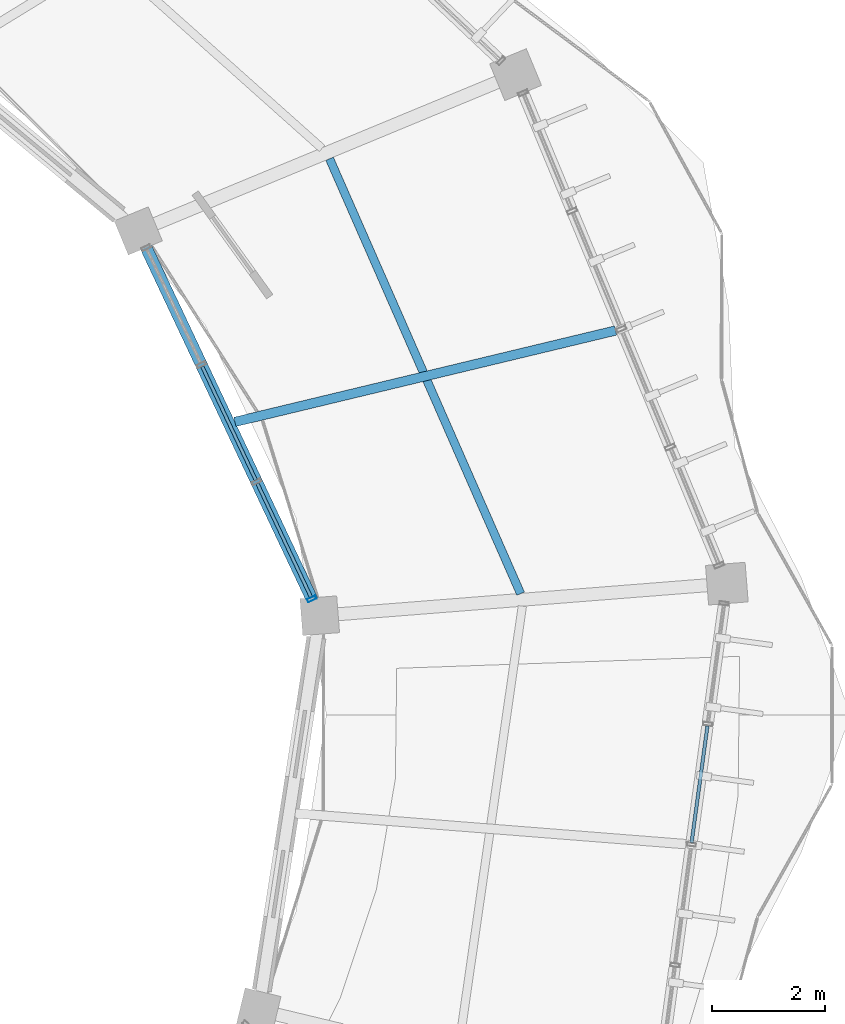
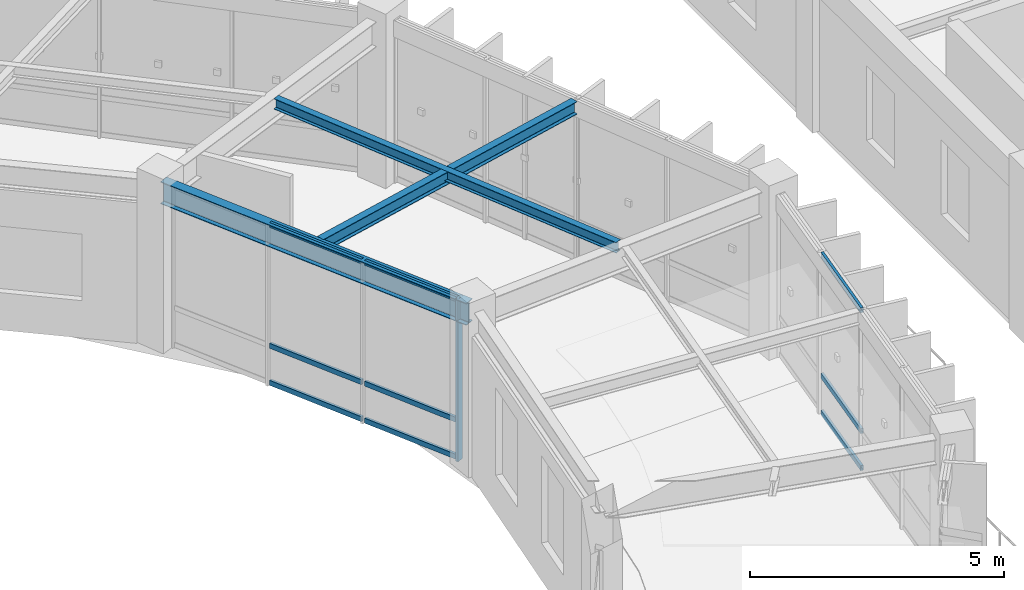
# One storey, part 90 of 138: 10 members, 3 beams, 2 elements without a shape of their own.
"""IFC4 building model written with IfcOpenShell, lengths in metres."""

from ifc_helpers import new_model, si_unit, direction, frame, origin, origin_2d, place, context, subcontext, project, spatial, hollow_rectangle, i_section, extrude, material, material_profile, profile_set, type_object, element, aggregate, save


model = new_model("IFC4")

# Units and contexts
model_context = context("Model", 3, precision=1e-05, world=origin(), true_north=direction((0.0, 1.0)))
body_context = subcontext(model_context, "Body", "Model", "MODEL_VIEW")
ifc_project = project(units=[si_unit("LENGTHUNIT", "METRE"), si_unit("AREAUNIT", "SQUARE_METRE"), si_unit("VOLUMEUNIT", "CUBIC_METRE"), si_unit("PLANEANGLEUNIT", "RADIAN"), si_unit("MASSUNIT", "GRAM", prefix="KILO"), si_unit("THERMODYNAMICTEMPERATUREUNIT", "KELVIN"), si_unit("POWERUNIT", "WATT")], contexts=[model_context])

# Site, building, storey
site_placement = place(None, origin())
site = spatial("IfcSite", under=ifc_project, at=site_placement, CompositionType="ELEMENT")
building_placement = place(site_placement, origin())
building = spatial("IfcBuilding", under=site, at=building_placement, Name="Darbajah Civic Hall", CompositionType="ELEMENT")
storey_placement = place(building_placement, frame((0.0, 0.0, 9.60009765625)))
storey = spatial("IfcBuildingStorey", under=building, at=storey_placement, Name="L02", CompositionType="ELEMENT", Elevation=9.60009765625)

# Curtain wall, members
ifc_material_1 = material(Name="Anodised Bronze Aluminium and Low-E Glazing", Category="aluminium")
curtain_wall_type_1 = type_object("IfcCurtainWallType", Name="Unitised Curtain Wall CW-38 6800x3900", PredefinedType="USERDEFINED", material=ifc_material_1)
curtain_wall_1_placement = place(storey_placement, origin())
curtain_wall_1 = element("IfcCurtainWall", 1, at=curtain_wall_1_placement, inside=storey, type_object=curtain_wall_type_1, Name="L02 unitised curtain wall CW-V1I-L02-00", ObjectType="UNITISED CURTAIN WALL", PredefinedType="USERDEFINED")
ifc_material_2 = material(Name="Anodised Bronze Aluminium", Category="aluminium")
ifc_material_profile_1 = material_profile(ifc_material_2, hollow_rectangle(XDim=0.06005859375, YDim=0.159912109375, WallThickness=0.00341796875, at=origin_2d()), Name="ALU MULLION 60x160")
ifc_profile_set_1 = profile_set([ifc_material_profile_1], Name="Anodised Bronze Aluminium")
member_type_1 = type_object("IfcMemberType", Name="ALU MULLION 60x160", PredefinedType="MULLION", material=ifc_profile_set_1)
member_1_placement = place(storey_placement, frame((132.62548828125, 91.845458984375, 0.0), z_axis=(0.0, 0.0, 1.0), x_axis=(-0.426568739901, 0.904455145454, 0.0)))
member_1 = element("IfcMember", 2, at=member_1_placement, type_object=member_type_1, Name="CW-V1I-L02-00 mullion 1", PredefinedType="MULLION", context=body_context, shape_type="SweptSolid", body=[
    extrude(hollow_rectangle(XDim=0.06005859375, YDim=0.159912109375, WallThickness=0.00341796875, at=origin_2d()), origin(), (0.0, 0.0, 1.0), 3.919921875),
])
ifc_material_profile_2 = material_profile(ifc_material_2, hollow_rectangle(XDim=0.06005859375, YDim=0.1201171875, WallThickness=0.003173828125, at=origin_2d()), Name="ALU TRANSOM 60x120")
ifc_profile_set_2 = profile_set([ifc_material_profile_2], Name="Anodised Bronze Aluminium")
member_type_2 = type_object("IfcMemberType", Name="ALU TRANSOM 60x120", PredefinedType="USERDEFINED", material=ifc_profile_set_2)
member_2_placement = place(storey_placement, frame((132.610595703125, 91.877197265625, 0.059814453125), z_axis=(-0.426567573353, 0.904455695634, 0.0), x_axis=(-0.904455695634, -0.426567573353, 0.0)))
member_2 = element("IfcMember", 3, at=member_2_placement, type_object=member_type_2, Name="CW-V1I-L02-00 transom 1.1", ObjectType="TRANSOM", PredefinedType="USERDEFINED", context=body_context, shape_type="SweptSolid", body=[
    extrude(hollow_rectangle(XDim=0.06005859375, YDim=0.1201171875, WallThickness=0.003173828125, at=origin_2d()), origin(), (0.0, 0.0, 1.0), 2.212158203125),
])
member_3_placement = place(storey_placement, frame((132.610595703125, 91.877197265625, 0.949951171875), z_axis=(-0.426567573353, 0.904455695634, 0.0), x_axis=(-0.904455695634, -0.426567573353, 0.0)))
member_3 = element("IfcMember", 4, at=member_3_placement, type_object=member_type_2, Name="CW-V1I-L02-00 transom 1.2", ObjectType="TRANSOM", PredefinedType="USERDEFINED", context=body_context, shape_type="SweptSolid", body=[
    extrude(hollow_rectangle(XDim=0.06005859375, YDim=0.1201171875, WallThickness=0.003173828125, at=origin_2d()), origin(), (0.0, 0.0, 1.0), 2.212158203125),
])
member_4_placement = place(storey_placement, frame((132.610595703125, 91.877197265625, 3.85986328125), z_axis=(-0.426567573353, 0.904455695634, 0.0), x_axis=(-0.904455695634, -0.426567573353, 0.0)))
member_4 = element("IfcMember", 5, at=member_4_placement, type_object=member_type_2, Name="CW-V1I-L02-00 transom 1.3", ObjectType="TRANSOM", PredefinedType="USERDEFINED", context=body_context, shape_type="SweptSolid", body=[
    extrude(hollow_rectangle(XDim=0.06005859375, YDim=0.1201171875, WallThickness=0.003173828125, at=origin_2d()), origin(), (0.0, 0.0, 1.0), 2.212158203125),
])
member_5_placement = place(storey_placement, frame((131.63720703125, 93.94140625, 0.059814453125), z_axis=(-0.426567573353, 0.904455695634, 0.0), x_axis=(-0.904455695634, -0.426567573353, 0.0)))
member_5 = element("IfcMember", 6, at=member_5_placement, type_object=member_type_2, Name="CW-V1I-L02-00 transom 2.1", ObjectType="TRANSOM", PredefinedType="USERDEFINED", context=body_context, shape_type="SweptSolid", body=[
    extrude(hollow_rectangle(XDim=0.06005859375, YDim=0.1201171875, WallThickness=0.003173828125, at=origin_2d()), origin(), (0.0, 0.0, 1.0), 2.212158203125),
])
member_6_placement = place(storey_placement, frame((131.63720703125, 93.94140625, 0.949951171875), z_axis=(-0.426567573353, 0.904455695634, 0.0), x_axis=(-0.904455695634, -0.426567573353, 0.0)))
member_6 = element("IfcMember", 7, at=member_6_placement, type_object=member_type_2, Name="CW-V1I-L02-00 transom 2.2", ObjectType="TRANSOM", PredefinedType="USERDEFINED", context=body_context, shape_type="SweptSolid", body=[
    extrude(hollow_rectangle(XDim=0.06005859375, YDim=0.1201171875, WallThickness=0.003173828125, at=origin_2d()), origin(), (0.0, 0.0, 1.0), 2.212158203125),
])
member_7_placement = place(storey_placement, frame((131.63720703125, 93.94140625, 3.85986328125), z_axis=(-0.426567573353, 0.904455695634, 0.0), x_axis=(-0.904455695634, -0.426567573353, 0.0)))
member_7 = element("IfcMember", 8, at=member_7_placement, type_object=member_type_2, Name="CW-V1I-L02-00 transom 2.3", ObjectType="TRANSOM", PredefinedType="USERDEFINED", context=body_context, shape_type="SweptSolid", body=[
    extrude(hollow_rectangle(XDim=0.06005859375, YDim=0.1201171875, WallThickness=0.003173828125, at=origin_2d()), origin(), (0.0, 0.0, 1.0), 2.212158203125),
])
aggregate(curtain_wall_1, [member_1, member_2, member_3, member_4, member_5, member_6, member_7])

curtain_wall_type_2 = type_object("IfcCurtainWallType", Name="Unitised Curtain Wall CW-53 8600x3900", PredefinedType="USERDEFINED", material=ifc_material_1)
curtain_wall_2_placement = place(storey_placement, origin())
curtain_wall_2 = element("IfcCurtainWall", 9, at=curtain_wall_2_placement, inside=storey, type_object=curtain_wall_type_2, Name="L02 unitised curtain wall CW-V1O-L02-19", ObjectType="UNITISED CURTAIN WALL", PredefinedType="USERDEFINED")
member_8_placement = place(storey_placement, frame((139.321533203125, 87.548583984375, 0.059814453125), z_axis=(0.134813971487, 0.990870926555, 0.0), x_axis=(-0.990870926555, 0.134813971487, 0.0)))
member_8 = element("IfcMember", 10, at=member_8_placement, type_object=member_type_2, Name="CW-V1O-L02-19 transom 3.1", ObjectType="TRANSOM", PredefinedType="USERDEFINED", context=body_context, shape_type="SweptSolid", body=[
    extrude(hollow_rectangle(XDim=0.06005859375, YDim=0.1201171875, WallThickness=0.003173828125, at=origin_2d()), origin(), (0.0, 0.0, 1.0), 2.075439453125),
])
member_9_placement = place(storey_placement, frame((139.321533203125, 87.548583984375, 0.949951171875), z_axis=(0.134813971487, 0.990870926555, 0.0), x_axis=(-0.990870926555, 0.134813971487, 0.0)))
member_9 = element("IfcMember", 11, at=member_9_placement, type_object=member_type_2, Name="CW-V1O-L02-19 transom 3.2", ObjectType="TRANSOM", PredefinedType="USERDEFINED", context=body_context, shape_type="SweptSolid", body=[
    extrude(hollow_rectangle(XDim=0.06005859375, YDim=0.1201171875, WallThickness=0.003173828125, at=origin_2d()), origin(), (0.0, 0.0, 1.0), 2.075439453125),
])
member_10_placement = place(storey_placement, frame((139.321533203125, 87.548583984375, 3.85986328125), z_axis=(0.134813971487, 0.990870926555, 0.0), x_axis=(-0.990870926555, 0.134813971487, 0.0)))
member_10 = element("IfcMember", 12, at=member_10_placement, type_object=member_type_2, Name="CW-V1O-L02-19 transom 3.3", ObjectType="TRANSOM", PredefinedType="USERDEFINED", context=body_context, shape_type="SweptSolid", body=[
    extrude(hollow_rectangle(XDim=0.06005859375, YDim=0.1201171875, WallThickness=0.003173828125, at=origin_2d()), origin(), (0.0, 0.0, 1.0), 2.075439453125),
])
aggregate(curtain_wall_2, [member_8, member_9, member_10])

# Beams
ifc_material_3 = material(Name="Steel S355JR", Category="steel")
ifc_material_profile_3 = material_profile(ifc_material_3, i_section(OverallWidth=0.146484375, OverallDepth=0.256103515625, WebThickness=0.00634765625, FlangeThickness=0.010986328125, FilletRadius=0.007568359375, at=origin_2d()), Name="UB 254x146x37")
ifc_profile_set_3 = profile_set([ifc_material_profile_3], Name="Steel S355JR")
beam_type_1 = type_object("IfcBeamType", Name="UB 254x146x37", PredefinedType="JOIST", material=ifc_profile_set_3)
beam_1_placement = place(storey_placement, frame((136.30712890625, 91.938232421875, 3.7919921875), z_axis=(-0.402231491777, 0.915537998678, 0.0), x_axis=(-0.915537998678, -0.402231491777, 0.0)))
element("IfcBeam", 13, at=beam_1_placement, inside=storey, type_object=beam_type_1, Name="L02 beam SJ-254", PredefinedType="JOIST", context=body_context, shape_type="SweptSolid", body=[
    extrude(i_section(OverallWidth=0.146484375, OverallDepth=0.256103515625, WebThickness=0.00634765625, FlangeThickness=0.010986328125, FilletRadius=0.007568359375, at=origin_2d()), origin(), (0.0, 0.0, 1.0), 8.374267578125),
])
ifc_material_profile_4 = material_profile(ifc_material_3, i_section(OverallWidth=0.165771484375, OverallDepth=0.306640625, WebThickness=0.006591796875, FlangeThickness=0.01171875, FilletRadius=0.0087890625, at=origin_2d()), Name="UB 305x165x46")
ifc_profile_set_4 = profile_set([ifc_material_profile_4], Name="Steel S355JR")
beam_type_2 = type_object("IfcBeamType", Name="UB 305x165x46", PredefinedType="JOIST", material=ifc_profile_set_4)
beam_2_placement = place(storey_placement, frame((131.2685546875, 94.96630859375, 3.7666015625), z_axis=(0.972369643286, 0.233446518106, 0.0), x_axis=(-0.233446518106, 0.972369643286, 0.0)))
element("IfcBeam", 14, at=beam_2_placement, inside=storey, type_object=beam_type_2, Name="L02 beam SJ-305", PredefinedType="JOIST", context=body_context, shape_type="SweptSolid", body=[
    extrude(i_section(OverallWidth=0.165771484375, OverallDepth=0.306640625, WebThickness=0.006591796875, FlangeThickness=0.01171875, FilletRadius=0.0087890625, at=origin_2d()), origin(), (0.0, 0.0, 1.0), 6.9033203125),
])
ifc_material_profile_5 = material_profile(ifc_material_3, i_section(OverallWidth=0.209228515625, OverallDepth=0.533203125, WebThickness=0.010009765625, FlangeThickness=0.015625, FilletRadius=0.0126953125, at=origin_2d()), Name="UB 533x210x92")
ifc_profile_set_5 = profile_set([ifc_material_profile_5], Name="Steel S355JR")
beam_type_3 = type_object("IfcBeamType", Name="UB 533x210x92", PredefinedType="BEAM", material=ifc_profile_set_5)
beam_3_placement = place(storey_placement, frame((132.73095703125, 91.6220703125, 3.6533203125), z_axis=(-0.426514469485, 0.904480739054, 0.0), x_axis=(-0.904480739054, -0.426514469485, 0.0)))
element("IfcBeam", 15, at=beam_3_placement, inside=storey, type_object=beam_type_3, Name="L02 beam SB-533", PredefinedType="BEAM", context=body_context, shape_type="SweptSolid", body=[
    extrude(i_section(OverallWidth=0.209228515625, OverallDepth=0.533203125, WebThickness=0.010009765625, FlangeThickness=0.015625, FilletRadius=0.0126953125, at=origin_2d()), origin(), (0.0, 0.0, 1.0), 7.340576171875),
])

save(model, "model.ifc")
